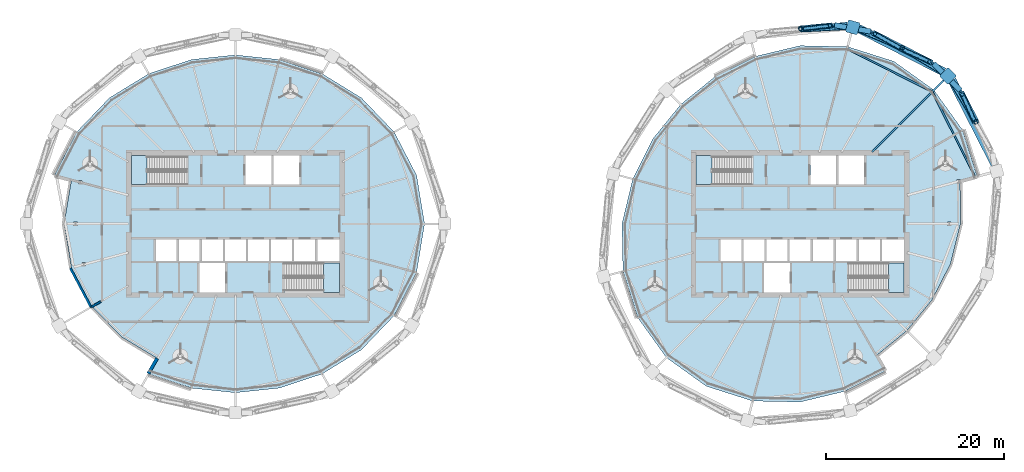
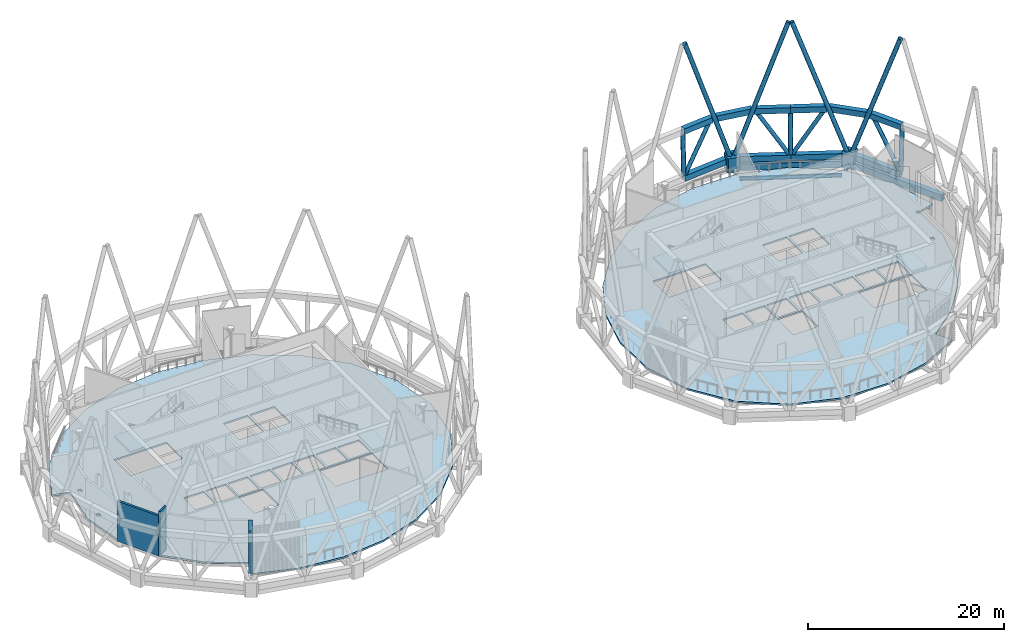
# One storey, part 9 of 22: 23 members, 6 slabs, 5 beams, 3 walls, 4 elements without a shape of their own.
"""IFC4 building model written with IfcOpenShell, lengths in metres."""

from ifc_helpers import new_model, si_unit, direction, frame, frame_2d, origin, origin_2d, place, context, subcontext, project, spatial, polyline, rectangle, hollow_rectangle, hollow_circle, i_section, outline, extrude, material, layer, layer_set, material_profile, profile_set, type_object, element, aggregate, save


model = new_model("IFC4")

# Units and contexts
model_context = context("Model", 3, precision=1e-05, world=origin(), true_north=direction((0.0, 1.0)))
body_context = subcontext(model_context, "Body", "Model", "MODEL_VIEW")
ifc_project = project(units=[si_unit("LENGTHUNIT", "METRE"), si_unit("AREAUNIT", "SQUARE_METRE"), si_unit("VOLUMEUNIT", "CUBIC_METRE"), si_unit("PLANEANGLEUNIT", "RADIAN"), si_unit("MASSUNIT", "GRAM", prefix="KILO")], contexts=[model_context])

# Site, building, storey
site_placement = place(None, origin())
site = spatial("IfcSite", under=ifc_project, at=site_placement, CompositionType="ELEMENT")
building_placement = place(site_placement, origin())
building = spatial("IfcBuilding", under=site, at=building_placement, Name="Rimbun Link Towers", CompositionType="ELEMENT")
storey_placement = place(building_placement, frame((0.0, 0.0, 204.5)))
storey = spatial("IfcBuildingStorey", under=building, at=storey_placement, Name="L50", CompositionType="ELEMENT", Elevation=204.5)

# Members
ifc_material_1 = material(Name="Steel S460N", Category="steel")
ifc_material_profile_1 = material_profile(ifc_material_1, hollow_rectangle(XDim=0.60009765625, YDim=0.699951171875, WallThickness=0.034912109375, at=origin_2d()), Name="Belt truss chord BOX 600x700x35")
ifc_profile_set_1 = profile_set([ifc_material_profile_1], Name="Steel S460N")
member_type_1 = type_object("IfcMemberType", Name="Belt truss chord BOX 600x700x35", PredefinedType="CHORD", material=ifc_profile_set_1)
member_1_placement = place(storey_placement, frame((49.774658203125, 15.012939453125, 6.0), z_axis=(-0.707106781187, 0.707106781187, 0.0), x_axis=(-0.707106781187, -0.707106781187, 0.0)))
element("IfcMember", 1, at=member_1_placement, inside=storey, type_object=member_type_1, Name="Belt truss chord T2 L50 top 00", PredefinedType="CHORD", context=body_context, shape_type="SweptSolid", body=[
    extrude(hollow_rectangle(XDim=0.60009765625, YDim=0.699951171875, WallThickness=0.034912109375, at=origin_2d()), origin(), (0.0, 0.0, 1.0), 4.25927734375),
])
member_2_placement = place(storey_placement, frame((39.70654296875, 21.62109375, 6.0), z_axis=(-0.984581641685, 0.174925672381, 0.0), x_axis=(-0.174925672381, -0.984581641685, 0.0)))
element("IfcMember", 2, at=member_2_placement, inside=storey, type_object=member_type_1, Name="Belt truss chord T2 L50 top 01", PredefinedType="CHORD", context=body_context, shape_type="SweptSolid", body=[
    extrude(hollow_rectangle(XDim=0.60009765625, YDim=0.699951171875, WallThickness=0.034912109375, at=origin_2d()), origin(), (0.0, 0.0, 1.0), 4.152099609375),
])
for number, where, z_axis, x_axis, name in (
    (3, (47.98486328125, 17.228271484375, 0.18994140625), (-0.890800055209, 0.454395490338, 0.0), (-0.454395490338, -0.890800055209, 0.0), "Belt truss chord T2 L50 bottom 00"),
    (4, (43.185791015625, 19.67626953125, 0.18994140625), (-0.89078171157, 0.454431449541, 0.0), (-0.454431449541, -0.89078171157, 0.0), "Belt truss chord T2 L50 bottom 01"),
):
    element("IfcMember", number, at=place(storey_placement, frame(where, z_axis=z_axis, x_axis=x_axis)), inside=storey, type_object=member_type_1, Name=name, PredefinedType="CHORD", context=body_context, shape_type="SweptSolid", body=[
        extrude(hollow_rectangle(XDim=0.60009765625, YDim=0.699951171875, WallThickness=0.034912109375, at=origin_2d()), origin(), (0.0, 0.0, 1.0), 5.387451171875),
    ])
member_3_placement = place(storey_placement, frame((46.5517578125, 18.119384765625, 6.0), z_axis=(-0.890808944879, 0.454378062546, 0.0), x_axis=(-0.454378062546, -0.890808944879, 0.0)))
element("IfcMember", 5, at=member_3_placement, inside=storey, type_object=member_type_1, Name="Belt truss chord T2 L50 top 12", PredefinedType="CHORD", context=body_context, shape_type="SweptSolid", body=[
    extrude(hollow_rectangle(XDim=0.60009765625, YDim=0.699951171875, WallThickness=0.034912109375, at=origin_2d()), origin(), (0.0, 0.0, 1.0), 3.727294921875),
])
member_4_placement = place(storey_placement, frame((43.2314453125, 19.81298828125, 6.0), z_axis=(-0.890804131178, 0.454387499691, 0.0), x_axis=(-0.454387499691, -0.890804131178, 0.0)))
element("IfcMember", 6, at=member_4_placement, inside=storey, type_object=member_type_1, Name="Belt truss chord T2 L50 top 13", PredefinedType="CHORD", context=body_context, shape_type="SweptSolid", body=[
    extrude(hollow_rectangle(XDim=0.60009765625, YDim=0.699951171875, WallThickness=0.034912109375, at=origin_2d()), origin(), (0.0, 0.0, 1.0), 3.722412109375),
])
member_5_placement = place(storey_placement, frame((37.015625, 22.385986328125, 0.18994140625), z_axis=(-0.99554347388, -0.094303720053, 0.0), x_axis=(0.094303720053, -0.99554347388, 0.0)))
element("IfcMember", 7, at=member_5_placement, inside=storey, type_object=member_type_1, Name="Belt truss chord T2 L50 bottom 02", PredefinedType="CHORD", context=body_context, shape_type="SweptSolid", body=[
    extrude(hollow_rectangle(XDim=0.60009765625, YDim=0.699951171875, WallThickness=0.034912109375, at=origin_2d()), origin(), (0.0, 0.0, 1.0), 5.175048828125),
])
member_6_placement = place(storey_placement, frame((35.370361328125, 22.31689453125, 6.0), z_axis=(-0.995545081379, -0.094286748494, 0.0), x_axis=(0.094286748494, -0.995545081379, 0.0)))
element("IfcMember", 8, at=member_6_placement, inside=storey, type_object=member_type_1, Name="Belt truss chord T2 L50 top 14", PredefinedType="CHORD", context=body_context, shape_type="SweptSolid", body=[
    extrude(hollow_rectangle(XDim=0.60009765625, YDim=0.699951171875, WallThickness=0.034912109375, at=origin_2d()), origin(), (0.0, 0.0, 1.0), 3.5732421875),
])
member_7_placement = place(storey_placement, frame((51.42626953125, 11.435791015625, 0.18994140625), z_axis=(-0.454395490338, 0.890800055209, 0.0), x_axis=(-0.890800055209, -0.454395490338, 0.0)))
element("IfcMember", 9, at=member_7_placement, inside=storey, type_object=member_type_1, Name="Belt truss chord T2 L50 bottom 23", PredefinedType="CHORD", context=body_context, shape_type="SweptSolid", body=[
    extrude(hollow_rectangle(XDim=0.60009765625, YDim=0.699951171875, WallThickness=0.034912109375, at=origin_2d()), origin(), (0.0, 0.0, 1.0), 5.387451171875),
])
member_8_placement = place(storey_placement, frame((51.56298828125, 11.4814453125, 6.0), z_axis=(-0.454378062546, 0.890808944879, 0.0), x_axis=(-0.890808944879, -0.454378062546, 0.0)))
element("IfcMember", 10, at=member_8_placement, inside=storey, type_object=member_type_1, Name="Belt truss chord T2 L50 top 35", PredefinedType="CHORD", context=body_context, shape_type="SweptSolid", body=[
    extrude(hollow_rectangle(XDim=0.60009765625, YDim=0.699951171875, WallThickness=0.034912109375, at=origin_2d()), origin(), (0.0, 0.0, 1.0), 3.727294921875),
])
ifc_material_2 = material(Name="Steel S355J2H", Category="steel")
ifc_material_profile_2 = material_profile(ifc_material_2, hollow_circle(Radius=0.228515625, WallThickness=0.01611328125, at=origin_2d()), Name="Belt truss diagonal CHS 457x16")
ifc_profile_set_2 = profile_set([ifc_material_profile_2], Name="Steel S355J2H")
member_type_2 = type_object("IfcMemberType", Name="Belt truss diagonal CHS 457x16", PredefinedType="BRACE", material=ifc_profile_set_2)
member_9_placement = place(storey_placement, frame((43.35302734375, 19.59912109375, 0.487548828125), z_axis=(0.478195395835, -0.220491260335, 0.850125148151), x_axis=(0.418722639824, 0.908114172832, 0.0)))
element("IfcMember", 11, at=member_9_placement, inside=storey, type_object=member_type_2, Name="Belt truss diagonal T2 L50 00", PredefinedType="BRACE", context=body_context, shape_type="SweptSolid", body=[
    extrude(hollow_circle(Radius=0.228515625, WallThickness=0.01611328125, at=origin_2d()), origin(), (0.0, 0.0, 1.0), 6.13427734375),
])
member_10_placement = place(storey_placement, frame((43.0234375, 19.76708984375, 0.486572265625), z_axis=(-0.463270803117, 0.259690189986, 0.847314090644), x_axis=(-0.488973916106, -0.872298406148, 0.0)))
element("IfcMember", 12, at=member_10_placement, inside=storey, type_object=member_type_2, Name="Belt truss diagonal T2 L50 01", PredefinedType="BRACE", context=body_context, shape_type="SweptSolid", body=[
    extrude(hollow_circle(Radius=0.228515625, WallThickness=0.01611328125, at=origin_2d()), origin(), (0.0, 0.0, 1.0), 6.156982421875),
])
member_11_placement = place(storey_placement, frame((32.04052734375, 21.919189453125, 0.4912109375), z_axis=(0.505481623134, 0.06076916456, 0.860694741074), x_axis=(-0.119360861528, 0.992850937823, 0.0)))
element("IfcMember", 13, at=member_11_placement, inside=storey, type_object=member_type_2, Name="Belt truss diagonal T2 L50 02", PredefinedType="BRACE", context=body_context, shape_type="SweptSolid", body=[
    extrude(hollow_circle(Radius=0.228515625, WallThickness=0.01611328125, at=origin_2d()), origin(), (0.0, 0.0, 1.0), 6.05029296875),
])
member_12_placement = place(storey_placement, frame((51.34912109375, 11.60302734375, 0.487548828125), z_axis=(-0.220491260335, 0.478195395835, 0.850125148151), x_axis=(-0.908114172832, -0.418722639824, 0.0)))
element("IfcMember", 14, at=member_12_placement, inside=storey, type_object=member_type_2, Name="Belt truss diagonal T2 L50 23", PredefinedType="BRACE", context=body_context, shape_type="SweptSolid", body=[
    extrude(hollow_circle(Radius=0.228515625, WallThickness=0.01611328125, at=origin_2d()), origin(), (0.0, 0.0, 1.0), 6.13427734375),
])
ifc_material_3 = material(Name="Steel S355J2H", Category="steel")
ifc_material_profile_3 = material_profile(ifc_material_3, hollow_circle(Radius=0.25390625, WallThickness=0.02001953125, at=origin_2d()), Name="Belt truss strut CHS 508x20")
ifc_profile_set_3 = profile_set([ifc_material_profile_3], Name="Steel S355J2H")
member_type_3 = type_object("IfcMemberType", Name="Belt truss strut CHS 508x20", PredefinedType="STRUT", material=ifc_profile_set_3)
member_13_placement = place(storey_placement, frame((43.185791015625, 19.67626953125, 0.5400390625), z_axis=(0.008930991221, 0.026745214352, 0.999602386404), x_axis=(-0.948513784506, 0.316735853041, 0.0)))
element("IfcMember", 15, at=member_13_placement, inside=storey, type_object=member_type_3, Name="Belt truss strut T2 L50 00", PredefinedType="STRUT", context=body_context, shape_type="SweptSolid", body=[
    extrude(hollow_circle(Radius=0.25390625, WallThickness=0.02001953125, at=origin_2d()), origin(), (0.0, 0.0, 1.0), 5.11181640625),
])
member_14_placement = place(storey_placement, frame((31.863525390625, 21.89794921875, 0.5400390625), z_axis=(-0.009888352246, 0.016050658718, 0.999822282631), x_axis=(-0.851397206432, -0.524521493248, 0.0)))
element("IfcMember", 16, at=member_14_placement, inside=storey, type_object=member_type_3, Name="Belt truss strut T2 L50 01", PredefinedType="STRUT", context=body_context, shape_type="SweptSolid", body=[
    extrude(hollow_circle(Radius=0.25390625, WallThickness=0.02001953125, at=origin_2d()), origin(), (0.0, 0.0, 1.0), 5.11083984375),
])
member_15_placement = place(storey_placement, frame((51.42626953125, 11.435791015625, 0.5400390625), z_axis=(0.026745214352, 0.008930991221, 0.999602386404), x_axis=(-0.316735853041, 0.948513784506, 0.0)))
element("IfcMember", 17, at=member_15_placement, inside=storey, type_object=member_type_3, Name="Belt truss strut T2 L50 11", PredefinedType="STRUT", context=body_context, shape_type="SweptSolid", body=[
    extrude(hollow_circle(Radius=0.25390625, WallThickness=0.02001953125, at=origin_2d()), origin(), (0.0, 0.0, 1.0), 5.11181640625),
])
ifc_material_4 = material(Name="Steel S355J2H", Category="steel")
ifc_material_profile_4 = material_profile(ifc_material_4, hollow_circle(Radius=0.25390625, WallThickness=0.02001953125, at=origin_2d()), Name="Diagrid diagonal CHS 508x20")
ifc_profile_set_4 = profile_set([ifc_material_profile_4], Name="Steel S355J2H")
member_type_4 = type_object("IfcMemberType", Name="Diagrid diagonal CHS 508x20", PredefinedType="BRACE", material=ifc_profile_set_4)
for number, where, z_axis, x_axis, name in (
    (18, (48.46728515625, 16.49072265625, 0.471923828125), (0.16972046271, -0.283343551359, 0.943881028754), (0.857874268826, 0.513859649015, 0.0), "Diagrid diagonal T2 L50-L54 00a"),
    (19, (48.24072265625, 16.71728515625, 0.471923828125), (-0.283343551359, 0.16972046271, 0.943881028754), (-0.513859649015, -0.857874268826, 0.0), "Diagrid diagonal T2 L50-L54 00b"),
):
    element("IfcMember", number, at=place(storey_placement, frame(where, z_axis=z_axis, x_axis=x_axis)), inside=storey, type_object=member_type_4, Name=name, PredefinedType="BRACE", context=body_context, shape_type="SweptSolid", body=[
        extrude(hollow_circle(Radius=0.25390625, WallThickness=0.02001953125, at=origin_2d()), origin(), (0.0, 0.0, 1.0), 17.4345703125),
    ])
member_16_placement = place(storey_placement, frame((37.820068359375, 22.033203125, 0.472900390625), z_axis=(0.298375792429, -0.126969019584, 0.945965514466), x_axis=(0.39155672362, 0.920153972, 0.0)))
element("IfcMember", 20, at=member_16_placement, inside=storey, type_object=member_type_4, Name="Diagrid diagonal T2 L50-L54 02a", PredefinedType="BRACE", context=body_context, shape_type="SweptSolid", body=[
    extrude(hollow_circle(Radius=0.25390625, WallThickness=0.02001953125, at=origin_2d()), origin(), (0.0, 0.0, 1.0), 17.39404296875),
])
member_17_placement = place(storey_placement, frame((37.509765625, 22.088134765625, 0.473388671875), z_axis=(-0.322101142758, -0.016826283915, 0.946555719439), x_axis=(0.052167998553, -0.998638322881, 0.0)))
element("IfcMember", 21, at=member_17_placement, inside=storey, type_object=member_type_4, Name="Diagrid diagonal T2 L50-L54 02b", PredefinedType="BRACE", context=body_context, shape_type="SweptSolid", body=[
    extrude(hollow_circle(Radius=0.25390625, WallThickness=0.02001953125, at=origin_2d()), origin(), (0.0, 0.0, 1.0), 17.38232421875),
])
ifc_material_5 = material(Name="Cast steel G20Mn5+QT, Rp0.2 300 MPa", Category="steel")
ifc_material_profile_5 = material_profile(ifc_material_5, outline(polyline([(0.699951171875, -0.570068359375), (0.699951171875, 0.570068359375), (0.570068359375, 0.699951171875), (-0.570068359375, 0.699951171875), (-0.699951171875, 0.570068359375), (-0.699951171875, -0.570068359375), (-0.570068359375, -0.699951171875), (0.570068359375, -0.699951171875), (0.699951171875, -0.570068359375)])), Name="NODE 1400x1400")
ifc_profile_set_5 = profile_set([ifc_material_profile_5], Name="Cast steel G20Mn5+QT, Rp0.2 300 MPa")
member_type_5 = type_object("IfcMemberType", Name="Diagrid node cast 1400", PredefinedType="USERDEFINED", material=ifc_profile_set_5)
for number, where, z_axis, x_axis, name in (
    (22, (48.382568359375, 16.632568359375, -0.89990234375), (0.0, 0.0, 1.0), (0.707106781187, 0.707106781187, 0.0), "Diagrid node L50 00"),
    (23, (37.6708984375, 22.0966796875, -0.89990234375), (0.0, 0.0, 1.0), (0.258819045103, 0.965925826289, 0.0), "Diagrid node L50 02"),
):
    element("IfcMember", number, at=place(storey_placement, frame(where, z_axis=z_axis, x_axis=x_axis)), inside=storey, type_object=member_type_5, Name=name, ObjectType="Diagrid node", PredefinedType="USERDEFINED", context=body_context, shape_type="SweptSolid", body=[
        extrude(outline(polyline([(0.699951171875, -0.570068359375), (0.699951171875, 0.570068359375), (0.570068359375, 0.699951171875), (-0.570068359375, 0.699951171875), (-0.699951171875, 0.570068359375), (-0.699951171875, -0.570068359375), (-0.570068359375, -0.699951171875), (0.570068359375, -0.699951171875), (0.699951171875, -0.570068359375)])), origin(), (0.0, 0.0, 1.0), 1.7998046875),
    ])

# Beams
ifc_material_6 = material(Name="Steel S355J2", Category="steel")
ifc_material_profile_6 = material_profile(ifc_material_6, hollow_rectangle(XDim=0.60009765625, YDim=0.800048828125, WallThickness=0.0400390625, at=origin_2d()), Name="Exoskeleton ring girder BOX 600x800x40")
ifc_profile_set_6 = profile_set([ifc_material_profile_6], Name="Steel S355J2")
beam_type_1 = type_object("IfcBeamType", Name="Exoskeleton ring girder BOX 600x800x40", PredefinedType="BEAM", material=ifc_profile_set_6)
for number, where, z_axis, x_axis, name in (
    (24, (47.7587890625, 16.95068359375, -0.56005859375), (-0.890795090107, 0.454405223827, 0.0), (-0.454405223827, -0.890795090107, 0.0), "Exoskeleton ring girder L50 00"),
    (25, (53.528564453125, 6.54443359375, -0.56005859375), (-0.454405223827, 0.890795090107, 0.0), (-0.890795090107, -0.454405223827, 0.0), "Exoskeleton ring girder L50 11"),
):
    element("IfcBeam", number, at=place(storey_placement, frame(where, z_axis=z_axis, x_axis=x_axis)), inside=storey, type_object=beam_type_1, Name=name, PredefinedType="BEAM", context=body_context, shape_type="SweptSolid", body=[
        extrude(hollow_rectangle(XDim=0.60009765625, YDim=0.800048828125, WallThickness=0.0400390625, at=origin_2d()), origin(), (0.0, 0.0, 1.0), 10.62451171875),
    ])
ifc_material_7 = material(Name="Steel S355J2", Category="steel")
ifc_material_profile_7 = material_profile(ifc_material_7, i_section(OverallWidth=0.18994140625, OverallDepth=0.453369140625, WebThickness=0.008544921875, FlangeThickness=0.0126953125, at=origin_2d()), Name="UB 457x191x67")
ifc_profile_set_7 = profile_set([ifc_material_profile_7], Name="Steel S355J2")
beam_type_2 = type_object("IfcBeamType", Name="UB 457x191x67", PredefinedType="BEAM", material=ifc_profile_set_7)
beam_1_placement = place(storey_placement, frame((46.50439453125, 14.91650390625, -0.4267578125), z_axis=(-0.893796854229, 0.448472054169, 0.0), x_axis=(-0.448472054169, -0.893796854229, 0.0)))
element("IfcBeam", 26, at=beam_1_placement, inside=storey, type_object=beam_type_2, Name="Edge beam T2 L50 00-02", PredefinedType="BEAM", context=body_context, shape_type="SweptSolid", body=[
    extrude(i_section(OverallWidth=0.18994140625, OverallDepth=0.453369140625, WebThickness=0.008544921875, FlangeThickness=0.0126953125, at=origin_2d()), origin(), (0.0, 0.0, 1.0), 10.472412109375),
])
beam_2_placement = place(storey_placement, frame((51.354248046875, 5.412109375, -0.4267578125), z_axis=(-0.448483782098, 0.89379096952, 0.0), x_axis=(-0.89379096952, -0.448483782098, 0.0)))
element("IfcBeam", 27, at=beam_2_placement, inside=storey, type_object=beam_type_2, Name="Edge beam T2 L50 22-00", PredefinedType="BEAM", context=body_context, shape_type="SweptSolid", body=[
    extrude(i_section(OverallWidth=0.18994140625, OverallDepth=0.453369140625, WebThickness=0.008544921875, FlangeThickness=0.0126953125, at=origin_2d()), origin(), (0.0, 0.0, 1.0), 10.452392578125),
])
ifc_material_8 = material(Name="Steel S355J2", Category="steel")
ifc_material_profile_8 = material_profile(ifc_material_8, i_section(OverallWidth=0.2275390625, OverallDepth=0.6025390625, WebThickness=0.010498046875, FlangeThickness=0.014892578125, at=origin_2d()), Name="UB 610x229x101")
ifc_profile_set_8 = profile_set([ifc_material_profile_8], Name="Steel S355J2")
beam_type_3 = type_object("IfcBeamType", Name="UB 610x229x101", PredefinedType="BEAM", material=ifc_profile_set_8)
beam_3_placement = place(storey_placement, frame((39.831298828125, 8.081298828125, -0.501220703125), z_axis=(0.707106781187, 0.707106781187, 0.0), x_axis=(-0.707106781187, 0.707106781187, 0.0)))
element("IfcBeam", 28, at=beam_3_placement, inside=storey, type_object=beam_type_3, Name="Radial beam T2 L50 00", PredefinedType="BEAM", context=body_context, shape_type="SweptSolid", body=[
    extrude(i_section(OverallWidth=0.2275390625, OverallDepth=0.6025390625, WebThickness=0.010498046875, FlangeThickness=0.014892578125, at=origin_2d()), origin(), (0.0, 0.0, 1.0), 11.593017578125),
])

# Slabs
ifc_material_9 = material(Name="Concrete C35/45", Category="concrete")
ifc_layer_1 = layer(ifc_material_9, 0.199951171875)
ifc_layer_set_1 = layer_set([ifc_layer_1], Name="COMPOSITE FLOOR 200")
slab_type_1 = type_object("IfcSlabType", Name="COMPOSITE FLOOR 200", PredefinedType="FLOOR", material=ifc_layer_set_1)
slab_1_placement = place(storey_placement, frame((0.0, 0.0, -0.199951171875)))
element("IfcSlab", 29, at=slab_1_placement, inside=storey, type_object=slab_type_1, Name="Floor slab T1 L50", PredefinedType="FLOOR", context=body_context, shape_type="SweptSolid", body=[
    extrude(outline(polyline([(-49.61279296875, 10.31298828125), (-45.91748046875, 14.16748046875), (-41.49658203125, 16.881591796875), (-36.699462890625, 18.471435546875), (-31.75, 18.99267578125), (-26.800537109375, 18.471435546875), (-22.00341796875, 16.881591796875), (-17.58251953125, 14.16748046875), (-13.88720703125, 10.31298828125), (-11.3759765625, 5.459228515625), (-10.478271484375, 0.0), (-11.3759765625, -5.459228515625), (-13.88720703125, -10.31298828125), (-17.58251953125, -14.16748046875), (-22.00341796875, -16.881591796875), (-26.800537109375, -18.471435546875), (-31.75, -18.99267578125), (-36.699462890625, -18.471435546875), (-41.49658203125, -16.881591796875), (-40.49658203125, -15.149658203125), (-44.503173828125, -12.753173828125), (-47.880615234375, -9.31298828125), (-50.1923828125, -4.941650390625), (-51.021728515625, 0.0), (-50.1923828125, 4.941650390625), (-52.1240234375, 5.459228515625), (-49.61279296875, 10.31298828125)]), holes=[polyline([(-32.89990234375, -7.699951171875), (-32.89990234375, -4.39990234375), (-35.800048828125, -4.39990234375), (-35.800048828125, -7.699951171875), (-32.89990234375, -7.699951171875)]), polyline([(-48.608154296875, -4.767333984375), (-48.608154296875, -4.373779296875), (-49.007080078125, -4.373779296875), (-49.007080078125, -4.767333984375), (-48.608154296875, -4.767333984375)]), polyline([(-38.361083984375, -4.14990234375), (-38.361083984375, -1.75), (-40.70556640625, -1.75), (-40.70556640625, -4.14990234375), (-38.361083984375, -4.14990234375)]), polyline([(-35.7666015625, -4.14990234375), (-35.7666015625, -1.75), (-38.111083984375, -1.75), (-38.111083984375, -4.14990234375), (-35.7666015625, -4.14990234375)]), polyline([(-33.172119140625, -4.14990234375), (-33.172119140625, -1.75), (-35.5166015625, -1.75), (-35.5166015625, -4.14990234375), (-33.172119140625, -4.14990234375)]), polyline([(-49.530517578125, -0.19677734375), (-49.530517578125, 0.19677734375), (-49.929443359375, 0.19677734375), (-49.929443359375, -0.19677734375), (-49.530517578125, -0.19677734375)]), polyline([(-48.990478515625, 4.476318359375), (-48.990478515625, 4.869873046875), (-49.389404296875, 4.869873046875), (-49.389404296875, 4.476318359375), (-48.990478515625, 4.476318359375)]), polyline([(-37.260009765625, 4.39990234375), (-37.260009765625, 7.699951171875), (-43.449951171875, 7.699951171875), (-43.449951171875, 4.39990234375), (-37.260009765625, 4.39990234375)]), polyline([(-20.050048828125, -7.699951171875), (-20.050048828125, -4.39990234375), (-26.239990234375, -4.39990234375), (-26.239990234375, -7.699951171875), (-20.050048828125, -7.699951171875)]), polyline([(-30.577880859375, -4.14990234375), (-30.577880859375, -1.75), (-32.922119140625, -1.75), (-32.922119140625, -4.14990234375), (-30.577880859375, -4.14990234375)]), polyline([(-27.9833984375, -4.14990234375), (-27.9833984375, -1.75), (-30.327880859375, -1.75), (-30.327880859375, -4.14990234375), (-27.9833984375, -4.14990234375)]), polyline([(-25.388916015625, -4.14990234375), (-25.388916015625, -1.75), (-27.7333984375, -1.75), (-27.7333984375, -4.14990234375), (-25.388916015625, -4.14990234375)]), polyline([(-22.79443359375, -4.14990234375), (-22.79443359375, -1.75), (-25.138916015625, -1.75), (-25.138916015625, -4.14990234375), (-22.79443359375, -4.14990234375)]), polyline([(-20.050048828125, -4.14990234375), (-20.050048828125, -1.75), (-22.54443359375, -1.75), (-22.54443359375, -4.14990234375), (-20.050048828125, -4.14990234375)]), polyline([(-27.699951171875, 4.39990234375), (-27.699951171875, 7.699951171875), (-30.60009765625, 7.699951171875), (-30.60009765625, 4.39990234375), (-27.699951171875, 4.39990234375)]), polyline([(-24.550048828125, 4.39990234375), (-24.550048828125, 7.699951171875), (-27.449951171875, 7.699951171875), (-27.449951171875, 4.39990234375), (-24.550048828125, 4.39990234375)])]), origin(), (0.0, 0.0, 1.0), 0.199951171875),
])
slab_2_placement = place(storey_placement, frame((0.0, 0.0, -0.199951171875)))
element("IfcSlab", 30, at=slab_2_placement, inside=storey, type_object=slab_type_1, Name="Floor slab T2 L50", PredefinedType="FLOOR", context=body_context, shape_type="SweptSolid", body=[
    extrude(outline(polyline([(49.78564453125, 0.0), (48.647216796875, -4.527587890625), (46.5791015625, -8.5615234375), (43.765625, -12.015625), (40.3115234375, -14.8291015625), (41.3115234375, -16.56103515625), (36.795166015625, -18.8291015625), (31.75, -20.03564453125), (26.41162109375, -19.923095703125), (21.20361328125, -18.26708984375), (16.70849609375, -15.04150390625), (13.48291015625, -10.54638671875), (11.826904296875, -5.33837890625), (11.71435546875, 0.0), (12.9208984375, 5.045166015625), (15.18896484375, 9.5615234375), (18.320068359375, 13.429931640625), (22.1884765625, 16.56103515625), (26.704833984375, 18.8291015625), (31.75, 20.03564453125), (37.08837890625, 19.923095703125), (42.29638671875, 18.26708984375), (46.79150390625, 15.04150390625), (50.01708984375, 10.54638671875), (51.673095703125, 5.33837890625), (49.802978515625, 4.83740234375), (49.802978515625, 4.980712890625), (49.404052734375, 4.980712890625), (49.404052734375, 4.587158203125), (49.743408203125, 4.587158203125), (49.78564453125, 0.0)]), holes=[polyline([(30.60009765625, -4.39990234375), (27.699951171875, -4.39990234375), (27.699951171875, -7.699951171875), (30.60009765625, -7.699951171875), (30.60009765625, -4.39990234375)]), polyline([(25.138916015625, -4.14990234375), (25.138916015625, -1.75), (22.79443359375, -1.75), (22.79443359375, -4.14990234375), (25.138916015625, -4.14990234375)]), polyline([(27.7333984375, -4.14990234375), (27.7333984375, -1.75), (25.388916015625, -1.75), (25.388916015625, -4.14990234375), (27.7333984375, -4.14990234375)]), polyline([(30.327880859375, -4.14990234375), (30.327880859375, -1.75), (27.9833984375, -1.75), (27.9833984375, -4.14990234375), (30.327880859375, -4.14990234375)]), polyline([(32.922119140625, -4.14990234375), (32.922119140625, -1.75), (30.577880859375, -1.75), (30.577880859375, -4.14990234375), (32.922119140625, -4.14990234375)]), polyline([(35.5166015625, -4.14990234375), (35.5166015625, -1.75), (33.172119140625, -1.75), (33.172119140625, -4.14990234375), (35.5166015625, -4.14990234375)]), polyline([(26.239990234375, 4.39990234375), (26.239990234375, 7.699951171875), (20.050048828125, 7.699951171875), (20.050048828125, 4.39990234375), (26.239990234375, 4.39990234375)]), polyline([(35.800048828125, 4.39990234375), (35.800048828125, 7.699951171875), (32.89990234375, 7.699951171875), (32.89990234375, 4.39990234375), (35.800048828125, 4.39990234375)]), polyline([(43.449951171875, -7.699951171875), (43.449951171875, -4.39990234375), (37.260009765625, -4.39990234375), (37.260009765625, -7.699951171875), (43.449951171875, -7.699951171875)]), polyline([(38.111083984375, -4.14990234375), (38.111083984375, -1.75), (35.7666015625, -1.75), (35.7666015625, -4.14990234375), (38.111083984375, -4.14990234375)]), polyline([(40.70556640625, -4.14990234375), (40.70556640625, -1.75), (38.361083984375, -1.75), (38.361083984375, -4.14990234375), (40.70556640625, -4.14990234375)]), polyline([(43.449951171875, -4.14990234375), (43.449951171875, -1.75), (40.95556640625, -1.75), (40.95556640625, -4.14990234375), (43.449951171875, -4.14990234375)]), polyline([(48.728515625, -0.19677734375), (48.728515625, 0.19677734375), (48.329345703125, 0.19677734375), (48.329345703125, -0.19677734375), (48.728515625, -0.19677734375)]), polyline([(38.949951171875, 4.39990234375), (38.949951171875, 7.699951171875), (36.050048828125, 7.699951171875), (36.050048828125, 4.39990234375), (38.949951171875, 4.39990234375)])]), origin(), (0.0, 0.0, 1.0), 0.199951171875),
])

# Stair, slab
ifc_material_10 = material(Name="Concrete C40/50", Category="concrete")
stair_type = type_object("IfcStairType", Name="Exit stair 6000 rise", PredefinedType="HALF_TURN_STAIR", material=ifc_material_10)
stair_1_placement = place(storey_placement, origin())
stair_1 = element("IfcStair", 31, at=stair_1_placement, inside=storey, type_object=stair_type, Name="L50 EXIT STAIR A", PredefinedType="HALF_TURN_STAIR")
ifc_material_11 = material(Name="Concrete C40/50", Category="concrete")
ifc_layer_2 = layer(ifc_material_11, 0.199951171875)
ifc_layer_set_2 = layer_set([ifc_layer_2], Name="Stair landing")
slab_type_2 = type_object("IfcSlabType", Name="Stair landing", PredefinedType="LANDING", material=ifc_layer_set_2)
slab_3_placement = place(storey_placement, frame((0.0, 0.0, 2.800048828125)))
slab_3 = element("IfcSlab", 32, at=slab_3_placement, type_object=slab_type_2, Name="ST1 landing 1", PredefinedType="LANDING", context=body_context, shape_type="SweptSolid", body=[
    extrude(outline(polyline([(-41.679931640625, 7.699951171875), (-43.449951171875, 7.699951171875), (-43.449951171875, 4.39990234375), (-41.679931640625, 4.39990234375), (-41.679931640625, 7.699951171875)])), origin(), (0.0, 0.0, 1.0), 0.199951171875),
])
aggregate(stair_1, [slab_3])

stair_2_placement = place(storey_placement, origin())
stair_2 = element("IfcStair", 33, at=stair_2_placement, inside=storey, type_object=stair_type, Name="L50 EXIT STAIR B", PredefinedType="HALF_TURN_STAIR")
slab_4_placement = place(storey_placement, frame((0.0, 0.0, 2.800048828125)))
slab_4 = element("IfcSlab", 34, at=slab_4_placement, type_object=slab_type_2, Name="ST2 landing 1", PredefinedType="LANDING", context=body_context, shape_type="SweptSolid", body=[
    extrude(outline(polyline([(-21.820068359375, -7.699951171875), (-20.050048828125, -7.699951171875), (-20.050048828125, -4.39990234375), (-21.820068359375, -4.39990234375), (-21.820068359375, -7.699951171875)])), origin(), (0.0, 0.0, 1.0), 0.199951171875),
])
aggregate(stair_2, [slab_4])

stair_3_placement = place(storey_placement, origin())
stair_3 = element("IfcStair", 35, at=stair_3_placement, inside=storey, type_object=stair_type, Name="L50 EXIT STAIR A", PredefinedType="HALF_TURN_STAIR")
slab_5_placement = place(storey_placement, frame((0.0, 0.0, 2.800048828125)))
slab_5 = element("IfcSlab", 36, at=slab_5_placement, type_object=slab_type_2, Name="ST3 landing 1", PredefinedType="LANDING", context=body_context, shape_type="SweptSolid", body=[
    extrude(outline(polyline([(21.820068359375, 7.699951171875), (20.050048828125, 7.699951171875), (20.050048828125, 4.39990234375), (21.820068359375, 4.39990234375), (21.820068359375, 7.699951171875)])), origin(), (0.0, 0.0, 1.0), 0.199951171875),
])
aggregate(stair_3, [slab_5])

stair_4_placement = place(storey_placement, origin())
stair_4 = element("IfcStair", 37, at=stair_4_placement, inside=storey, type_object=stair_type, Name="L50 EXIT STAIR B", PredefinedType="HALF_TURN_STAIR")
slab_6_placement = place(storey_placement, frame((0.0, 0.0, 2.800048828125)))
slab_6 = element("IfcSlab", 38, at=slab_6_placement, type_object=slab_type_2, Name="ST4 landing 1", PredefinedType="LANDING", context=body_context, shape_type="SweptSolid", body=[
    extrude(outline(polyline([(41.679931640625, -7.699951171875), (43.449951171875, -7.699951171875), (43.449951171875, -4.39990234375), (41.679931640625, -4.39990234375), (41.679931640625, -7.699951171875)])), origin(), (0.0, 0.0, 1.0), 0.199951171875),
])
aggregate(stair_4, [slab_6])

# Walls
ifc_material_12 = material(Name="Dark enamelled glass spandrel on insulated aluminium backpan", Category="aluminium")
ifc_layer_3 = layer(ifc_material_12, 0.25)
ifc_layer_set_3 = layer_set([ifc_layer_3], Name="CS dark enamelled spandrel wall 250")
wall_type_1 = type_object("IfcWallType", Name="CS dark enamelled spandrel wall 250", PredefinedType="STANDARD", material=ifc_layer_set_3)
wall_1_placement = place(storey_placement, frame((-47.982666015625, -9.387451171875, 0.0), z_axis=(0.0, 0.0, 1.0), x_axis=(-0.467477994318, 0.884004708601, 0.0)))
element("IfcWall", 39, at=wall_1_placement, inside=storey, type_object=wall_type_1, Name="Crease spandrel wall", PredefinedType="STANDARD", context=body_context, shape_type="SweptSolid", body=[
    extrude(rectangle(XDim=4.9833984375, YDim=0.25, at=frame_2d((2.49169921875, 0.0))), origin(), (0.0, 0.0, 1.0), 5.00927734375),
])
ifc_material_13 = material(Name="Dark enamelled glass spandrel on insulated aluminium backpan", Category="aluminium")
ifc_layer_4 = layer(ifc_material_13, 0.3701171875)
ifc_layer_set_4 = layer_set([ifc_layer_4], Name="CS dark enamelled spandrel wall 370")
wall_type_2 = type_object("IfcWallType", Name="CS dark enamelled spandrel wall 370", PredefinedType="STANDARD", material=ifc_layer_set_4)
wall_2_placement = place(storey_placement, frame((-41.54296875, -16.831787109375, 0.0), z_axis=(0.0, 0.0, 1.0), x_axis=(0.500024883228, 0.866011036969, 0.0)))
element("IfcWall", 40, at=wall_2_placement, inside=storey, type_object=wall_type_2, Name="Crease spandrel wall", PredefinedType="STANDARD", context=body_context, shape_type="SweptSolid", body=[
    extrude(rectangle(XDim=1.97998046875, YDim=0.3701171875, at=frame_2d((0.989990234375, 0.0))), origin(), (0.0, 0.0, 1.0), 5.31689453125),
])
ifc_material_14 = material(Name="Concrete blockwork", Category="masonry")
ifc_layer_5 = layer(ifc_material_14, 0.199951171875)
ifc_layer_set_5 = layer_set([ifc_layer_5], Name="Fire partition 200 blockwork")
wall_type_3 = type_object("IfcWallType", Name="Fire partition 200 blockwork", PredefinedType="PARTITIONING", material=ifc_layer_set_5)
wall_3_placement = place(storey_placement, frame((-46.89990234375, -8.746826171875, 0.0), z_axis=(0.0, 0.0, 1.0), x_axis=(-0.866041403502, -0.499972286653, 0.0)))
element("IfcWall", 41, at=wall_3_placement, inside=storey, type_object=wall_type_3, Name="TW/PW/L50/012", PredefinedType="PARTITIONING", context=body_context, shape_type="SweptSolid", body=[
    extrude(rectangle(XDim=1.21240234375, YDim=0.199951171875, at=frame_2d((0.606201171875, 0.0))), origin(), (0.0, 0.0, 1.0), 5.485107421875),
])

save(model, "model.ifc")
